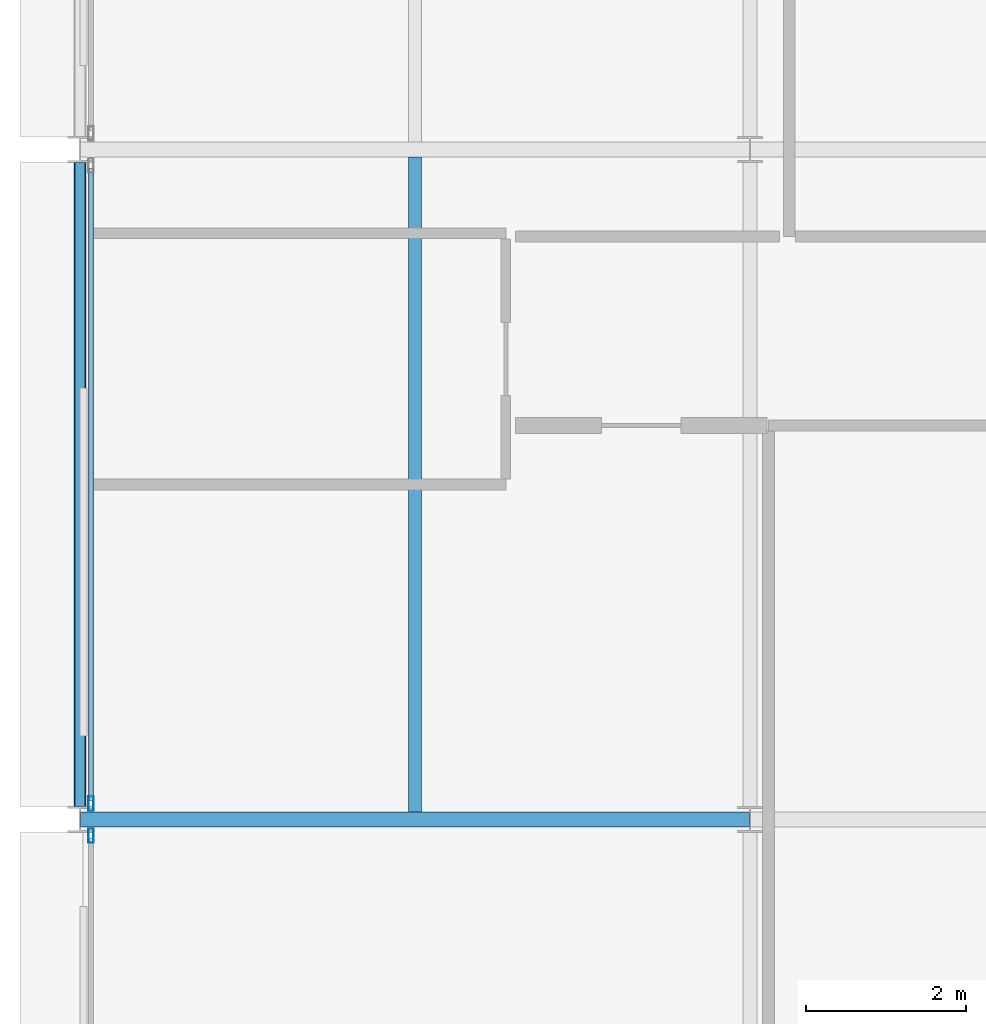
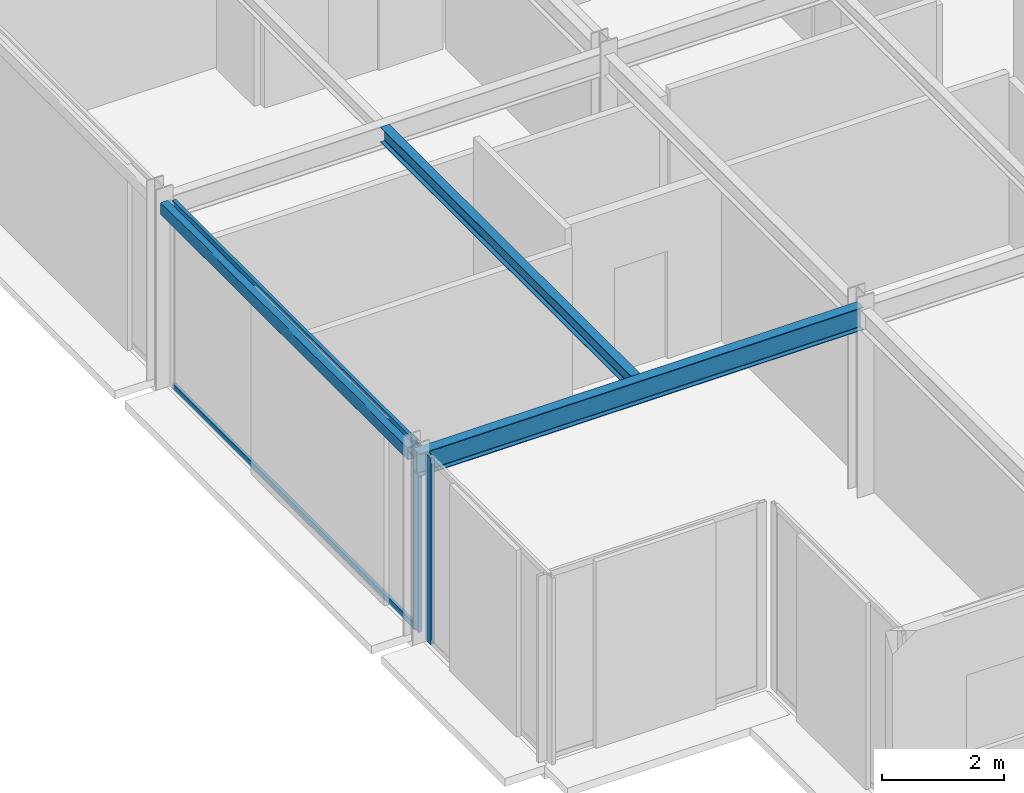
# One storey, part 5 of 25: 4 members, 3 beams, 2 elements without a shape of their own.
"""IFC4 building model written with IfcOpenShell, lengths in metres."""

from ifc_helpers import new_model, si_unit, direction, frame, origin, origin_2d, place, context, subcontext, project, spatial, hollow_rectangle, i_section, extrude, material, layer, layer_set, material_profile, profile_set, type_object, element, aggregate, save


model = new_model("IFC4")

# Units and contexts
model_context = context("Model", 3, precision=1e-05, world=origin(), true_north=direction((0.0, 1.0)))
body_context = subcontext(model_context, "Body", "Model", "MODEL_VIEW")
ifc_project = project(units=[si_unit("LENGTHUNIT", "METRE"), si_unit("AREAUNIT", "SQUARE_METRE"), si_unit("VOLUMEUNIT", "CUBIC_METRE"), si_unit("PLANEANGLEUNIT", "RADIAN"), si_unit("MASSUNIT", "GRAM", prefix="KILO")], contexts=[model_context])

# Site, building, storey
site_placement = place(None, origin())
site = spatial("IfcSite", under=ifc_project, at=site_placement, CompositionType="ELEMENT")
building_placement = place(site_placement, origin())
building = spatial("IfcBuilding", under=site, at=building_placement, Name="Nerrivon Quay Data Exchange", CompositionType="ELEMENT")
storey_placement = place(building_placement, frame((0.0, 0.0, 302.199951171875)))
storey = spatial("IfcBuildingStorey", under=building, at=storey_placement, Name="L72", CompositionType="ELEMENT", Elevation=302.199951171875)

# Beams
ifc_material_1 = material(Name="Steel Grade 350", Category="steel")
ifc_material_profile_1 = material_profile(ifc_material_1, i_section(OverallWidth=0.18994140625, OverallDepth=0.4541015625, WebThickness=0.008544921875, FlangeThickness=0.0126953125, FilletRadius=0.011474609375, at=origin_2d()), Name="460UB67.1")
ifc_profile_set_1 = profile_set([ifc_material_profile_1], Name="Steel Grade 350")
beam_type_1 = type_object("IfcBeamType", Name="BM-G6-460UB67", PredefinedType="BEAM", material=ifc_profile_set_1)
beam_1_placement = place(storey_placement, frame((0.0078125, 8.39990234375, 3.498046875), z_axis=(1.0, 0.0, 0.0), x_axis=(0.0, 1.0, 0.0)))
element("IfcBeam", 1, at=beam_1_placement, inside=storey, type_object=beam_type_1, Name="L72 EW Girder Y=8.4 (0.0..8.4)", PredefinedType="BEAM", context=body_context, shape_type="SweptSolid", body=[
    extrude(i_section(OverallWidth=0.18994140625, OverallDepth=0.4541015625, WebThickness=0.008544921875, FlangeThickness=0.0126953125, FilletRadius=0.011474609375, at=origin_2d()), origin(), (0.0, 0.0, 1.0), 8.38427734375),
])
ifc_material_profile_2 = material_profile(ifc_material_1, i_section(OverallWidth=0.1650390625, OverallDepth=0.303955078125, WebThickness=0.006103515625, FlangeThickness=0.01025390625, FilletRadius=0.011474609375, at=origin_2d()), Name="310UB40.4")
ifc_profile_set_2 = profile_set([ifc_material_profile_2], Name="Steel Grade 350")
beam_type_2 = type_object("IfcBeamType", Name="BM-J6-310UB40", PredefinedType="JOIST", material=ifc_profile_set_2)
beam_2_placement = place(storey_placement, frame((4.199951171875, 8.4951171875, 3.572998046875), z_axis=(0.0, 1.0, 0.0), x_axis=(-1.0, 0.0, 0.0)))
element("IfcBeam", 2, at=beam_2_placement, inside=storey, type_object=beam_type_2, Name="L72 Secondary Joist X=4.2 (8.4..16.8)", PredefinedType="JOIST", context=body_context, shape_type="SweptSolid", body=[
    extrude(i_section(OverallWidth=0.1650390625, OverallDepth=0.303955078125, WebThickness=0.006103515625, FlangeThickness=0.01025390625, FilletRadius=0.011474609375, at=origin_2d()), origin(), (0.0, 0.0, 1.0), 8.2099609375),
])
ifc_material_2 = material(Name="Steel Grade C350L0 (350 MPa)", Category="steel")
ifc_material_profile_3 = material_profile(ifc_material_2, hollow_rectangle(XDim=0.14990234375, YDim=0.25, WallThickness=0.009033203125, InnerFilletRadius=0.013427734375, OuterFilletRadius=0.0224609375, at=origin_2d()), Name="250x150x9.0RHS")
ifc_profile_set_3 = profile_set([ifc_material_profile_3], Name="Steel Grade C350L0 (350 MPa)")
beam_type_3 = type_object("IfcBeamType", Name="BM-SP4-250x150RHS", PredefinedType="SPANDREL", material=ifc_profile_set_3)
beam_3_placement = place(storey_placement, frame((0.0, 8.5634765625, 3.60009765625), z_axis=(0.0, 1.0, 0.0), x_axis=(-1.0, 0.0, 0.0)))
element("IfcBeam", 3, at=beam_3_placement, inside=storey, type_object=beam_type_3, Name="L72 NS Girder X=0.0 (8.4..16.8)", PredefinedType="SPANDREL", context=body_context, shape_type="SweptSolid", body=[
    extrude(hollow_rectangle(XDim=0.14990234375, YDim=0.25, WallThickness=0.009033203125, InnerFilletRadius=0.013427734375, OuterFilletRadius=0.0224609375, at=origin_2d()), origin(), (0.0, 0.0, 1.0), 8.072998046875),
])

# Curtain wall, member
ifc_material_3 = material(Name="Anodised aluminium 6063-T6", Category="aluminium")
ifc_layer = layer(ifc_material_3, 0.195068359375)
ifc_layer_set = layer_set([ifc_layer], Name="Anodised aluminium 6063-T6")
curtain_wall_type = type_object("IfcCurtainWallType", Name="CW-SYS-06", PredefinedType="NOTDEFINED", material=ifc_layer_set)
curtain_wall_1_placement = place(storey_placement, origin())
curtain_wall_1 = element("IfcCurtainWall", 4, at=curtain_wall_1_placement, inside=storey, type_object=curtain_wall_type, Name="L72 Unitised Curtain Wall 8", PredefinedType="NOTDEFINED")
ifc_material_profile_4 = material_profile(ifc_material_3, hollow_rectangle(XDim=0.06494140625, YDim=0.179931640625, WallThickness=0.00341796875, at=origin_2d()), Name="ALU-MULL-180x65")
ifc_profile_set_4 = profile_set([ifc_material_profile_4], Name="Anodised aluminium 6063-T6")
member_type_1 = type_object("IfcMemberType", Name="CWM-180x65", PredefinedType="MULLION", material=ifc_profile_set_4)
member_1_placement = place(storey_placement, frame((0.139892578125, 8.198974609375, 0.0), z_axis=(0.0, 0.0, 1.0), x_axis=(-1.0, 0.0, 0.0)))
member_1 = element("IfcMember", 5, at=member_1_placement, type_object=member_type_1, Name="CW06 mullion 2", PredefinedType="MULLION", context=body_context, shape_type="SweptSolid", body=[
    extrude(hollow_rectangle(XDim=0.06494140625, YDim=0.179931640625, WallThickness=0.00341796875, at=origin_2d()), origin(), (0.0, 0.0, 1.0), 3.72509765625),
])
aggregate(curtain_wall_1, [member_1])

# Curtain wall, members
curtain_wall_2_placement = place(storey_placement, origin())
curtain_wall_2 = element("IfcCurtainWall", 6, at=curtain_wall_2_placement, inside=storey, type_object=curtain_wall_type, Name="L72 Unitised Curtain Wall 9", PredefinedType="NOTDEFINED")
member_2_placement = place(storey_placement, frame((0.139892578125, 8.60107421875, 0.0), z_axis=(0.0, 0.0, 1.0), x_axis=(-1.0, 0.0, 0.0)))
member_2 = element("IfcMember", 7, at=member_2_placement, type_object=member_type_1, Name="CW06 mullion 1", PredefinedType="MULLION", context=body_context, shape_type="SweptSolid", body=[
    extrude(hollow_rectangle(XDim=0.06494140625, YDim=0.179931640625, WallThickness=0.00341796875, at=origin_2d()), origin(), (0.0, 0.0, 1.0), 3.72509765625),
])
ifc_material_profile_5 = material_profile(ifc_material_3, hollow_rectangle(XDim=0.06005859375, YDim=0.1201171875, WallThickness=0.003173828125, at=origin_2d()), Name="ALU-TRAN-120x60")
ifc_profile_set_5 = profile_set([ifc_material_profile_5], Name="Anodised aluminium 6063-T6")
member_type_2 = type_object("IfcMemberType", Name="CWT-120x60", PredefinedType="USERDEFINED", material=ifc_profile_set_5)
member_3_placement = place(storey_placement, frame((0.139892578125, 8.638427734375, 0.032470703125), z_axis=(0.0, 1.0, 0.0), x_axis=(-1.0, 0.0, 0.0)))
member_3 = element("IfcMember", 8, at=member_3_placement, type_object=member_type_2, Name="CW06 transom 1.1", ObjectType="TRANSOM", PredefinedType="USERDEFINED", context=body_context, shape_type="SweptSolid", body=[
    extrude(hollow_rectangle(XDim=0.06005859375, YDim=0.1201171875, WallThickness=0.003173828125, at=origin_2d()), origin(), (0.0, 0.0, 1.0), 7.923095703125),
])
member_4_placement = place(storey_placement, frame((0.139892578125, 8.638427734375, 3.692626953125), z_axis=(0.0, 1.0, 0.0), x_axis=(-1.0, 0.0, 0.0)))
member_4 = element("IfcMember", 9, at=member_4_placement, type_object=member_type_2, Name="CW06 transom 1.2", ObjectType="TRANSOM", PredefinedType="USERDEFINED", context=body_context, shape_type="SweptSolid", body=[
    extrude(hollow_rectangle(XDim=0.06005859375, YDim=0.1201171875, WallThickness=0.003173828125, at=origin_2d()), origin(), (0.0, 0.0, 1.0), 7.923095703125),
])
aggregate(curtain_wall_2, [member_2, member_3, member_4])

save(model, "model.ifc")
